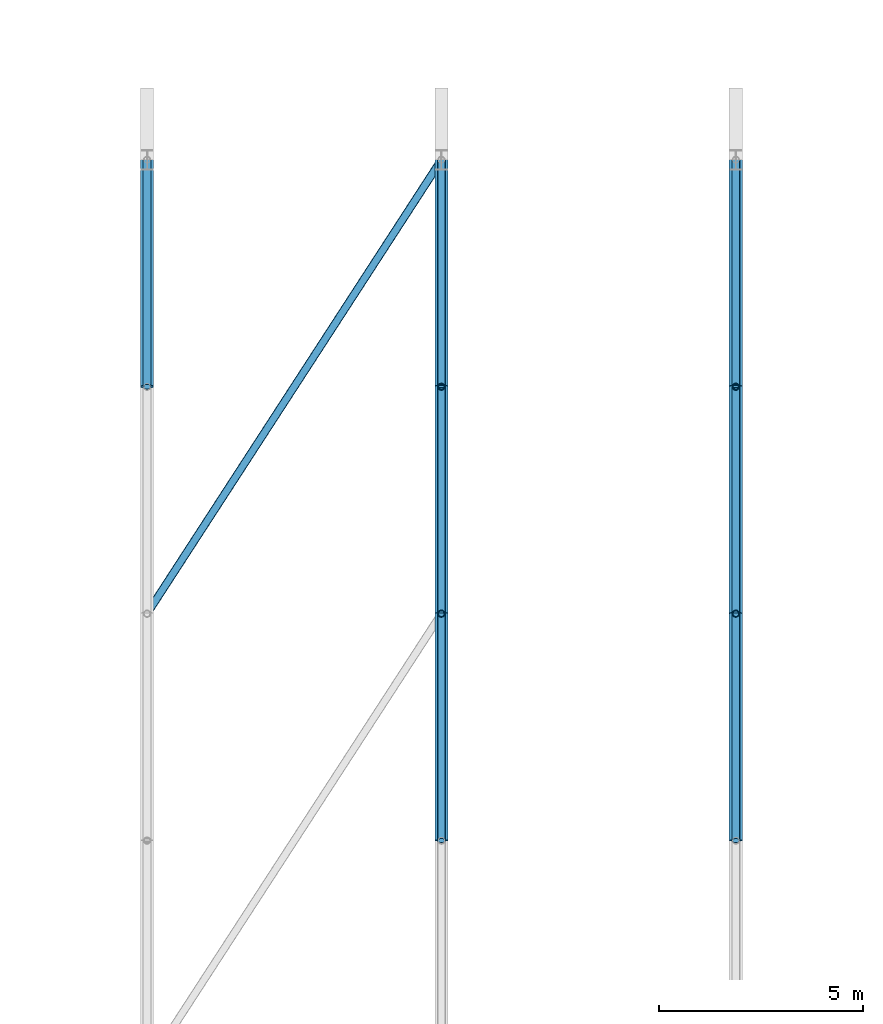
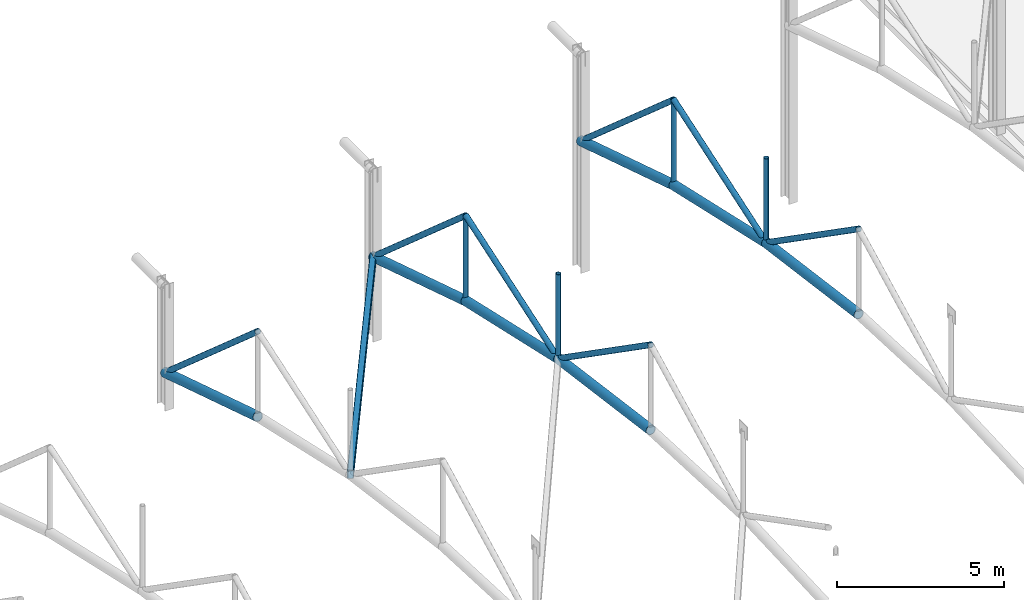
# One storey, part 58 of 153: 19 members.
"""IFC4 building model written with IfcOpenShell, lengths in metres."""

from ifc_helpers import new_model, si_unit, derived_unit, direction, frame, origin, origin_2d, place, context, subcontext, project, spatial, hollow_rectangle, hollow_circle, extrude, material, material_profile, profile_set, type_object, element, save


model = new_model("IFC4")

# Units and contexts
model_context = context("Model", 3, precision=1e-05, world=origin(), true_north=direction((0.0, 1.0)))
body_context = subcontext(model_context, "Body", "Model", "MODEL_VIEW")
ifc_project = project(units=[si_unit("LENGTHUNIT", "METRE"), si_unit("AREAUNIT", "SQUARE_METRE"), si_unit("VOLUMEUNIT", "CUBIC_METRE"), si_unit("PLANEANGLEUNIT", "RADIAN"), si_unit("MASSUNIT", "GRAM", prefix="KILO"), derived_unit("THERMALTRANSMITTANCEUNIT", [(si_unit("POWERUNIT", "WATT"), 1), (si_unit("LENGTHUNIT", "METRE"), -2), (si_unit("THERMODYNAMICTEMPERATUREUNIT", "KELVIN"), -1)])], contexts=[model_context])

# Site, building, storey
site_placement = place(None, origin())
site = spatial("IfcSite", under=ifc_project, at=site_placement, CompositionType="ELEMENT")
building_placement = place(site_placement, origin())
building = spatial("IfcBuilding", under=site, at=building_placement, Name="Keldorne Ridge Multi-Sports Centre", CompositionType="ELEMENT")
storey_placement = place(building_placement, frame((0.0, 0.0, 9.60009765625)))
storey = spatial("IfcBuildingStorey", under=building, at=storey_placement, Name="L02", CompositionType="ELEMENT", Elevation=9.60009765625)

# Members
ifc_material = material(Name="Steel S355", Category="steel")
ifc_material_profile_1 = material_profile(ifc_material, hollow_circle(Radius=0.161865234375, WallThickness=0.01611328125, at=origin_2d()), Name="CHS 323.9x16")
ifc_profile_set_1 = profile_set([ifc_material_profile_1], Name="Steel S355")
member_type_1 = type_object("IfcMemberType", Name="MEM-TC-02", PredefinedType="CHORD", material=ifc_profile_set_1)
member_1_placement = place(storey_placement, frame((49.199951171875, 48.449951171875, 2.969970703125), z_axis=(0.0, 0.953713189214, -0.300717729305), x_axis=(-1.0, 0.0, 0.0)))
element("IfcMember", 1, at=member_1_placement, inside=storey, type_object=member_type_1, Name="Main Hall ROOF TRUSS AT-07 bottom chord 8", PredefinedType="CHORD", context=body_context, shape_type="SweptSolid", body=[
    extrude(hollow_circle(Radius=0.161865234375, WallThickness=0.01611328125, at=origin_2d()), origin(), (0.0, 0.0, 1.0), 5.8193359375),
])
member_2_placement = place(storey_placement, frame((56.39990234375, 37.35009765625, 6.68994140625), z_axis=(0.0, 0.990991804939, -0.133922524405), x_axis=(-1.0, 0.0, 0.0)))
element("IfcMember", 2, at=member_2_placement, inside=storey, type_object=member_type_1, Name="Main Hall ROOF TRUSS AT-08 bottom chord 6", PredefinedType="CHORD", context=body_context, shape_type="SweptSolid", body=[
    extrude(hollow_circle(Radius=0.161865234375, WallThickness=0.01611328125, at=origin_2d()), origin(), (0.0, 0.0, 1.0), 5.600341796875),
])
member_3_placement = place(storey_placement, frame((56.39990234375, 42.89990234375, 5.93994140625), z_axis=(0.0, 0.975563092904, -0.219719484259), x_axis=(-1.0, 0.0, 0.0)))
element("IfcMember", 3, at=member_3_placement, inside=storey, type_object=member_type_1, Name="Main Hall ROOF TRUSS AT-08 bottom chord 7", PredefinedType="CHORD", context=body_context, shape_type="SweptSolid", body=[
    extrude(hollow_circle(Radius=0.161865234375, WallThickness=0.01611328125, at=origin_2d()), origin(), (0.0, 0.0, 1.0), 5.68896484375),
])
member_4_placement = place(storey_placement, frame((56.39990234375, 48.449951171875, 4.68994140625), z_axis=(0.0, 0.953713189214, -0.300717729305), x_axis=(-1.0, 0.0, 0.0)))
element("IfcMember", 4, at=member_4_placement, inside=storey, type_object=member_type_1, Name="Main Hall ROOF TRUSS AT-08 bottom chord 8", PredefinedType="CHORD", context=body_context, shape_type="SweptSolid", body=[
    extrude(hollow_circle(Radius=0.161865234375, WallThickness=0.01611328125, at=origin_2d()), origin(), (0.0, 0.0, 1.0), 5.8193359375),
])
member_5_placement = place(storey_placement, frame((63.60009765625, 37.35009765625, 8.409912109375), z_axis=(0.0, 0.990991804939, -0.133922524405), x_axis=(-1.0, 0.0, 0.0)))
element("IfcMember", 5, at=member_5_placement, inside=storey, type_object=member_type_1, Name="Main Hall ROOF TRUSS AT-09 bottom chord 6", PredefinedType="CHORD", context=body_context, shape_type="SweptSolid", body=[
    extrude(hollow_circle(Radius=0.161865234375, WallThickness=0.01611328125, at=origin_2d()), origin(), (0.0, 0.0, 1.0), 5.600341796875),
])
member_6_placement = place(storey_placement, frame((63.60009765625, 42.89990234375, 7.659912109375), z_axis=(0.0, 0.975563092904, -0.219719484259), x_axis=(-1.0, 0.0, 0.0)))
element("IfcMember", 6, at=member_6_placement, inside=storey, type_object=member_type_1, Name="Main Hall ROOF TRUSS AT-09 bottom chord 7", PredefinedType="CHORD", context=body_context, shape_type="SweptSolid", body=[
    extrude(hollow_circle(Radius=0.161865234375, WallThickness=0.01611328125, at=origin_2d()), origin(), (0.0, 0.0, 1.0), 5.68896484375),
])
member_7_placement = place(storey_placement, frame((63.60009765625, 48.449951171875, 6.409912109375), z_axis=(0.0, 0.953713189214, -0.300717729305), x_axis=(-1.0, 0.0, 0.0)))
element("IfcMember", 7, at=member_7_placement, inside=storey, type_object=member_type_1, Name="Main Hall ROOF TRUSS AT-09 bottom chord 8", PredefinedType="CHORD", context=body_context, shape_type="SweptSolid", body=[
    extrude(hollow_circle(Radius=0.161865234375, WallThickness=0.01611328125, at=origin_2d()), origin(), (0.0, 0.0, 1.0), 5.8193359375),
])
ifc_material_profile_2 = material_profile(ifc_material, hollow_circle(Radius=0.096923828125, WallThickness=0.010009765625, at=origin_2d()), Name="CHS 193.7x10")
ifc_profile_set_2 = profile_set([ifc_material_profile_2], Name="Steel S355")
member_type_2 = type_object("IfcMemberType", Name="MEM-TD-01", PredefinedType="BRACE", material=ifc_profile_set_2)
member_8_placement = place(storey_placement, frame((49.199951171875, 48.449951171875, 6.08984375), z_axis=(0.0, 0.751664494299, -0.659545667874), x_axis=(-1.0, 0.0, 0.0)))
element("IfcMember", 8, at=member_8_placement, inside=storey, type_object=member_type_2, Name="Main Hall ROOF TRUSS AT-07 diagonal 8", PredefinedType="BRACE", context=body_context, shape_type="SweptSolid", body=[
    extrude(hollow_circle(Radius=0.096923828125, WallThickness=0.010009765625, at=origin_2d()), origin(), (0.0, 0.0, 1.0), 7.3837890625),
])
member_9_placement = place(storey_placement, frame((56.39990234375, 37.35009765625, 9.809814453125), z_axis=(0.0, 0.820271449663, -0.571974430257), x_axis=(-1.0, 0.0, 0.0)))
element("IfcMember", 9, at=member_9_placement, inside=storey, type_object=member_type_2, Name="Main Hall ROOF TRUSS AT-08 diagonal 6", PredefinedType="BRACE", context=body_context, shape_type="SweptSolid", body=[
    extrude(hollow_circle(Radius=0.096923828125, WallThickness=0.010009765625, at=origin_2d()), origin(), (0.0, 0.0, 1.0), 6.765869140625),
])
member_10_placement = place(storey_placement, frame((56.39990234375, 42.89990234375, 5.93994140625), z_axis=(0.0, 0.947661237718, 0.319277588514), x_axis=(-1.0, 0.0, 0.0)))
element("IfcMember", 10, at=member_10_placement, inside=storey, type_object=member_type_2, Name="Main Hall ROOF TRUSS AT-08 diagonal 7", PredefinedType="BRACE", context=body_context, shape_type="SweptSolid", body=[
    extrude(hollow_circle(Radius=0.096923828125, WallThickness=0.010009765625, at=origin_2d()), origin(), (0.0, 0.0, 1.0), 5.856689453125),
])
member_11_placement = place(storey_placement, frame((56.39990234375, 48.449951171875, 7.809814453125), z_axis=(0.0, 0.751664494299, -0.659545667874), x_axis=(-1.0, 0.0, 0.0)))
element("IfcMember", 11, at=member_11_placement, inside=storey, type_object=member_type_2, Name="Main Hall ROOF TRUSS AT-08 diagonal 8", PredefinedType="BRACE", context=body_context, shape_type="SweptSolid", body=[
    extrude(hollow_circle(Radius=0.096923828125, WallThickness=0.010009765625, at=origin_2d()), origin(), (0.0, 0.0, 1.0), 7.3837890625),
])
member_12_placement = place(storey_placement, frame((63.60009765625, 37.35009765625, 11.52978515625), z_axis=(0.0, 0.820271449663, -0.571974430257), x_axis=(-1.0, 0.0, 0.0)))
element("IfcMember", 12, at=member_12_placement, inside=storey, type_object=member_type_2, Name="Main Hall ROOF TRUSS AT-09 diagonal 6", PredefinedType="BRACE", context=body_context, shape_type="SweptSolid", body=[
    extrude(hollow_circle(Radius=0.096923828125, WallThickness=0.010009765625, at=origin_2d()), origin(), (0.0, 0.0, 1.0), 6.765869140625),
])
member_13_placement = place(storey_placement, frame((63.60009765625, 42.89990234375, 7.659912109375), z_axis=(0.0, 0.947661237718, 0.319277588514), x_axis=(-1.0, 0.0, 0.0)))
element("IfcMember", 13, at=member_13_placement, inside=storey, type_object=member_type_2, Name="Main Hall ROOF TRUSS AT-09 diagonal 7", PredefinedType="BRACE", context=body_context, shape_type="SweptSolid", body=[
    extrude(hollow_circle(Radius=0.096923828125, WallThickness=0.010009765625, at=origin_2d()), origin(), (0.0, 0.0, 1.0), 5.856689453125),
])
member_14_placement = place(storey_placement, frame((63.60009765625, 48.449951171875, 9.52978515625), z_axis=(0.0, 0.751664494299, -0.659545667874), x_axis=(-1.0, 0.0, 0.0)))
element("IfcMember", 14, at=member_14_placement, inside=storey, type_object=member_type_2, Name="Main Hall ROOF TRUSS AT-09 diagonal 8", PredefinedType="BRACE", context=body_context, shape_type="SweptSolid", body=[
    extrude(hollow_circle(Radius=0.096923828125, WallThickness=0.010009765625, at=origin_2d()), origin(), (0.0, 0.0, 1.0), 7.3837890625),
])
ifc_material_profile_3 = material_profile(ifc_material, hollow_circle(Radius=0.084228515625, WallThickness=0.010009765625, at=origin_2d()), Name="CHS 168.3x10")
ifc_profile_set_3 = profile_set([ifc_material_profile_3], Name="Steel S355")
member_type_3 = type_object("IfcMemberType", Name="MEM-TV-01", PredefinedType="STRUT", material=ifc_profile_set_3)
for number, where, z_axis, x_axis, name in (
    (15, (56.39990234375, 42.89990234375, 5.93994140625), (0.0, 0.0, 1.0), (1.0, 0.0, 0.0), "Main Hall ROOF TRUSS AT-08 vertical 7"),
    (16, (56.39990234375, 48.449951171875, 4.68994140625), (0.0, 0.0, 1.0), (1.0, 0.0, 0.0), "Main Hall ROOF TRUSS AT-08 vertical 8"),
    (17, (63.60009765625, 42.89990234375, 7.659912109375), (0.0, 0.0, 1.0), (1.0, 0.0, 0.0), "Main Hall ROOF TRUSS AT-09 vertical 7"),
    (18, (63.60009765625, 48.449951171875, 6.409912109375), (0.0, 0.0, 1.0), (1.0, 0.0, 0.0), "Main Hall ROOF TRUSS AT-09 vertical 8"),
):
    element("IfcMember", number, at=place(storey_placement, frame(where, z_axis=z_axis, x_axis=x_axis)), inside=storey, type_object=member_type_3, Name=name, PredefinedType="STRUT", context=body_context, shape_type="SweptSolid", body=[
        extrude(hollow_circle(Radius=0.084228515625, WallThickness=0.010009765625, at=origin_2d()), origin(), (0.0, 0.0, 1.0), 3.119873046875),
    ])
ifc_material_profile_4 = material_profile(ifc_material, hollow_rectangle(XDim=0.199951171875, YDim=0.300048828125, WallThickness=0.012451171875, InnerFilletRadius=0.012451171875, OuterFilletRadius=0.02490234375, at=origin_2d()), Name="RHS 300x200x12.5")
ifc_profile_set_4 = profile_set([ifc_material_profile_4], Name="Steel S355")
member_type_4 = type_object("IfcMemberType", Name="MEM-WB-01", PredefinedType="BRACE", material=ifc_profile_set_4)
member_15_placement = place(storey_placement, frame((49.199951171875, 42.89990234375, 4.219970703125), z_axis=(0.541656101606, 0.835066166478, -0.096297275125), x_axis=(-0.83896515778, 0.544185137643, 0.0)))
element("IfcMember", 19, at=member_15_placement, inside=storey, type_object=member_type_4, Name="Main Hall wind girder brace 7.7", PredefinedType="BRACE", context=body_context, shape_type="SweptSolid", body=[
    extrude(hollow_rectangle(XDim=0.199951171875, YDim=0.300048828125, WallThickness=0.012451171875, InnerFilletRadius=0.012451171875, OuterFilletRadius=0.02490234375, at=origin_2d()), origin(), (0.0, 0.0, 1.0), 13.29248046875),
])

save(model, "model.ifc")
